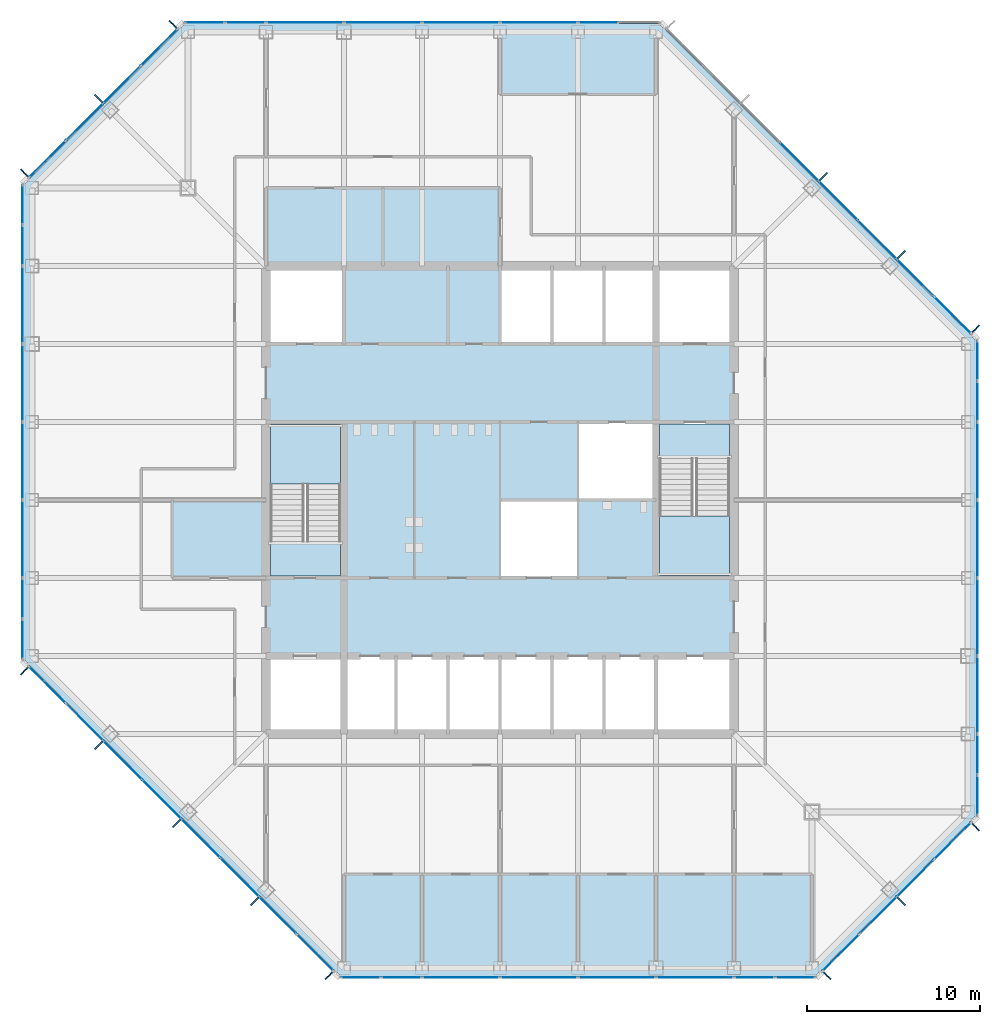
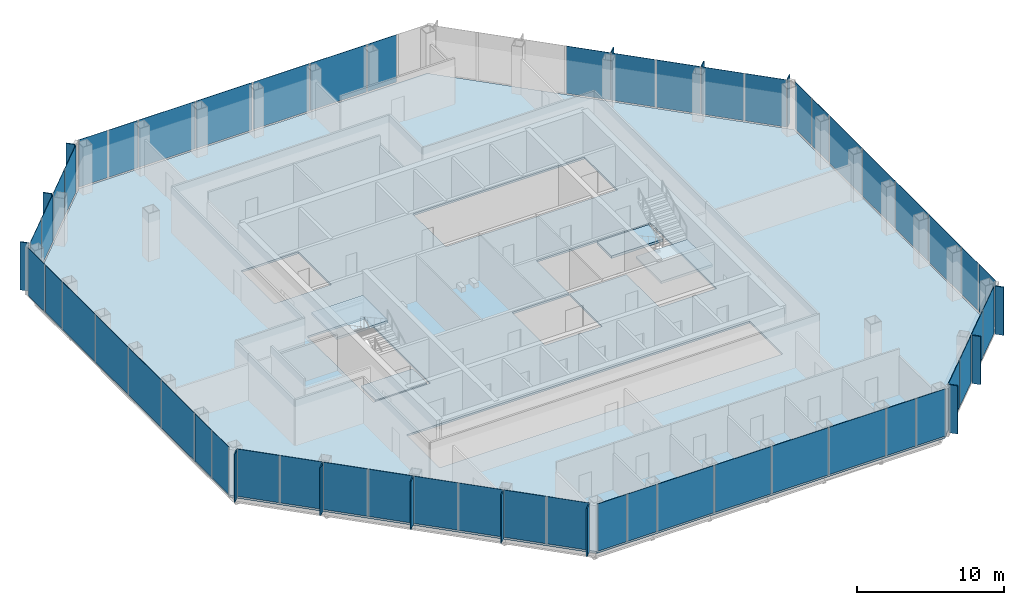
# One storey, part 7 of 12: 66 plates, 5 slabs, 10 elements without a shape of their own.
"""IFC4 building model written with IfcOpenShell, lengths in metres."""

from ifc_helpers import new_model, si_unit, direction, frame, origin, origin_2d, place, context, subcontext, project, spatial, polyline, rectangle, outline, extrude, material, layer, layer_set, type_object, element, aggregate, save


model = new_model("IFC4")

# Units and contexts
model_context = context("Model", 3, precision=1e-05, world=origin(), true_north=direction((0.0, 1.0)))
body_context = subcontext(model_context, "Body", "Model", "MODEL_VIEW")
ifc_project = project(units=[si_unit("LENGTHUNIT", "METRE"), si_unit("AREAUNIT", "SQUARE_METRE"), si_unit("VOLUMEUNIT", "CUBIC_METRE"), si_unit("PLANEANGLEUNIT", "RADIAN"), si_unit("MASSUNIT", "GRAM", prefix="KILO")], contexts=[model_context])

# Site, building, storey
site_placement = place(None, origin())
site = spatial("IfcSite", under=ifc_project, at=site_placement, CompositionType="ELEMENT")
building_placement = place(site_placement, origin())
building = spatial("IfcBuilding", under=site, at=building_placement, Name="Corais Broadcast Tower", CompositionType="ELEMENT")
storey_placement = place(building_placement, frame((0.0, 0.0, 147.60009765625)))
storey = spatial("IfcBuildingStorey", under=building, at=storey_placement, Name="L33", CompositionType="ELEMENT", Elevation=147.60009765625)

# Slab
ifc_material_1 = material(Name="Concrete C30/37", Category="concrete")
ifc_layer_1 = layer(ifc_material_1, 0.159912109375)
ifc_layer_set_1 = layer_set([ifc_layer_1], Name="Concrete C30/37")
slab_type_1 = type_object("IfcSlabType", Name="Composite floor slab 160", PredefinedType="FLOOR", material=ifc_layer_set_1)
slab_1_placement = place(storey_placement, frame((0.0, 0.0, -0.16015625)))
element("IfcSlab", 1, at=slab_1_placement, inside=storey, type_object=slab_type_1, Name="S160 floor slab L33", PredefinedType="FLOOR", context=body_context, shape_type="SweptSolid", body=[
    extrude(outline(polyline([(17.80126953125, -0.47998046875), (-0.47998046875, 17.80126953125), (-0.47998046875, 45.19873046875), (8.80126953125, 54.47998046875), (36.19873046875, 54.47998046875), (54.47998046875, 36.19873046875), (54.47998046875, 8.80126953125), (45.19873046875, -0.47998046875), (17.80126953125, -0.47998046875)]), holes=[polyline([(13.5, 18.0), (40.5, 18.0), (40.5, 13.5), (13.5, 13.5), (13.5, 18.0)]), polyline([(18.0, 22.5), (13.5, 22.5), (13.5, 31.5), (18.0, 31.5), (18.0, 22.5)]), polyline([(18.0, 36.0), (13.5, 36.0), (13.5, 40.5), (18.0, 40.5), (18.0, 36.0)]), polyline([(31.5, 22.5), (27.0, 22.5), (27.0, 27.0), (31.4951171875, 27.0), (31.4951171875, 27.0048828125), (31.5, 27.0048828125), (31.5, 31.5), (40.5, 31.5), (40.5, 22.5), (36.0, 22.5), (36.0, 27.0), (31.5048828125, 27.0), (31.5048828125, 26.9951171875), (31.5, 26.9951171875), (31.5, 22.5)]), polyline([(27.0, 40.5), (40.5, 40.5), (40.5, 36.0), (27.0, 36.0), (27.0, 40.5)])]), origin(), (0.0, 0.0, 1.0), 0.16015625),
])

# Curtain wall, plates
ifc_material_2 = material(Name="Aluminium and glass", Category="aluminium")
curtain_wall_type = type_object("IfcCurtainWallType", Name="Unitised fritted curtain wall CW2", PredefinedType="NOTDEFINED", material=ifc_material_2)
curtain_wall_1_placement = place(storey_placement, origin())
curtain_wall_1 = element("IfcCurtainWall", 2, at=curtain_wall_1_placement, inside=storey, type_object=curtain_wall_type, Name="CW2 curtain wall L33 1", PredefinedType="NOTDEFINED")
ifc_material_3 = material(Name="Ceramic-fritted laminated glass", Category="glass")
ifc_layer_2 = layer(ifc_material_3, 0.028076171875)
ifc_layer_set_2 = layer_set([ifc_layer_2], Name="Ceramic-fritted laminated glass")
plate_type_1 = type_object("IfcPlateType", Name="Fritted glass panel CW2", PredefinedType="CURTAIN_PANEL", material=ifc_layer_set_2)
plate_1_placement = place(storey_placement, frame((16.330322265625, 0.891845703125, 0.06494140625), z_axis=(0.0, 0.0, 1.0), x_axis=(-0.707106781187, 0.707106781187, 0.0)))
plate_1 = element("IfcPlate", 3, at=plate_1_placement, type_object=plate_type_1, Name="CW2 panel 1", PredefinedType="CURTAIN_PANEL", context=body_context, shape_type="SweptSolid", body=[
    extrude(rectangle(XDim=2.9482421875, YDim=0.028076171875, at=origin_2d()), origin(), (0.0, 0.0, 1.0), 3.93505859375),
])
plate_2_placement = place(storey_placement, frame((11.986083984375, 5.236083984375, 0.06494140625), z_axis=(0.0, 0.0, 1.0), x_axis=(-0.707106781187, 0.707106781187, 0.0)))
plate_2 = element("IfcPlate", 4, at=plate_2_placement, type_object=plate_type_1, Name="CW2 panel 3", PredefinedType="CURTAIN_PANEL", context=body_context, shape_type="SweptSolid", body=[
    extrude(rectangle(XDim=3.116943359375, YDim=0.028076171875, at=origin_2d()), origin(), (0.0, 0.0, 1.0), 3.93505859375),
])
plate_3_placement = place(storey_placement, frame((7.486083984375, 9.736083984375, 0.06494140625), z_axis=(0.0, 0.0, 1.0), x_axis=(-0.707106781187, 0.707106781187, 0.0)))
plate_3 = element("IfcPlate", 5, at=plate_3_placement, type_object=plate_type_1, Name="CW2 panel 5", PredefinedType="CURTAIN_PANEL", context=body_context, shape_type="SweptSolid", body=[
    extrude(rectangle(XDim=3.116943359375, YDim=0.028076171875, at=origin_2d()), origin(), (0.0, 0.0, 1.0), 3.93505859375),
])
plate_4_placement = place(storey_placement, frame((3.0341796875, 14.18798828125, 0.06494140625), z_axis=(0.0, 0.0, 1.0), x_axis=(-0.707106781187, 0.707106781187, 0.0)))
plate_4 = element("IfcPlate", 6, at=plate_4_placement, type_object=plate_type_1, Name="CW2 panel 7", PredefinedType="CURTAIN_PANEL", context=body_context, shape_type="SweptSolid", body=[
    extrude(rectangle(XDim=2.98095703125, YDim=0.028076171875, at=origin_2d()), origin(), (0.0, 0.0, 1.0), 3.93505859375),
])

curtain_wall_2_placement = place(storey_placement, origin())
curtain_wall_2 = element("IfcCurtainWall", 7, at=curtain_wall_2_placement, inside=storey, type_object=curtain_wall_type, Name="CW2 curtain wall L33 2", PredefinedType="NOTDEFINED")
plate_5_placement = place(storey_placement, frame((-0.550048828125, 18.970458984375, 0.06494140625), z_axis=(0.0, 0.0, 1.0), x_axis=(0.0, 1.0, 0.0)))
plate_5 = element("IfcPlate", 8, at=plate_5_placement, type_object=plate_type_1, Name="CW2 panel 1", PredefinedType="CURTAIN_PANEL", context=body_context, shape_type="SweptSolid", body=[
    extrude(rectangle(XDim=2.266357421875, YDim=0.028076171875, at=origin_2d()), origin(), (0.0, 0.0, 1.0), 3.93505859375),
])
plate_6_placement = place(storey_placement, frame((-0.550048828125, 24.75, 0.06494140625), z_axis=(0.0, 0.0, 1.0), x_axis=(0.0, 1.0, 0.0)))
plate_6 = element("IfcPlate", 9, at=plate_6_placement, type_object=plate_type_1, Name="CW2 panel 3", PredefinedType="CURTAIN_PANEL", context=body_context, shape_type="SweptSolid", body=[
    extrude(rectangle(XDim=4.43505859375, YDim=0.028076171875, at=origin_2d()), origin(), (0.0, 0.0, 1.0), 3.93505859375),
])
plate_7_placement = place(storey_placement, frame((-0.550048828125, 33.75, 0.06494140625), z_axis=(0.0, 0.0, 1.0), x_axis=(0.0, 1.0, 0.0)))
plate_7 = element("IfcPlate", 10, at=plate_7_placement, type_object=plate_type_1, Name="CW2 panel 5", PredefinedType="CURTAIN_PANEL", context=body_context, shape_type="SweptSolid", body=[
    extrude(rectangle(XDim=4.43505859375, YDim=0.028076171875, at=origin_2d()), origin(), (0.0, 0.0, 1.0), 3.93505859375),
])
plate_8_placement = place(storey_placement, frame((-0.550048828125, 41.681884765625, 0.06494140625), z_axis=(0.0, 0.0, 1.0), x_axis=(0.0, 1.0, 0.0)))
plate_8 = element("IfcPlate", 11, at=plate_8_placement, type_object=plate_type_1, Name="CW2 panel 7", PredefinedType="CURTAIN_PANEL", context=body_context, shape_type="SweptSolid", body=[
    extrude(rectangle(XDim=2.298828125, YDim=0.028076171875, at=origin_2d()), origin(), (0.0, 0.0, 1.0), 3.93505859375),
])

curtain_wall_3_placement = place(storey_placement, origin())
curtain_wall_3 = element("IfcCurtainWall", 12, at=curtain_wall_3_placement, inside=storey, type_object=curtain_wall_type, Name="CW2 curtain wall L33 3", PredefinedType="NOTDEFINED")
plate_9_placement = place(storey_placement, frame((0.891845703125, 46.669677734375, 0.06494140625), z_axis=(0.0, 0.0, 1.0), x_axis=(0.707106781187, 0.707106781187, 0.0)))
plate_9 = element("IfcPlate", 13, at=plate_9_placement, type_object=plate_type_1, Name="CW2 panel 1", PredefinedType="CURTAIN_PANEL", context=body_context, shape_type="SweptSolid", body=[
    extrude(rectangle(XDim=2.9482421875, YDim=0.028076171875, at=origin_2d()), origin(), (0.0, 0.0, 1.0), 3.93505859375),
])
plate_10_placement = place(storey_placement, frame((5.18798828125, 50.9658203125, 0.06494140625), z_axis=(0.0, 0.0, 1.0), x_axis=(0.707106781187, 0.707106781187, 0.0)))
plate_10 = element("IfcPlate", 14, at=plate_10_placement, type_object=plate_type_1, Name="CW2 panel 3", PredefinedType="CURTAIN_PANEL", context=body_context, shape_type="SweptSolid", body=[
    extrude(rectangle(XDim=2.98095703125, YDim=0.028076171875, at=origin_2d()), origin(), (0.0, 0.0, 1.0), 3.93505859375),
])

curtain_wall_4_placement = place(storey_placement, origin())
curtain_wall_4 = element("IfcCurtainWall", 15, at=curtain_wall_4_placement, inside=storey, type_object=curtain_wall_type, Name="CW2 curtain wall L33 4", PredefinedType="NOTDEFINED")
plate_11_placement = place(storey_placement, frame((9.970458984375, 54.550048828125, 0.06494140625), z_axis=(0.0, 0.0, 1.0), x_axis=(1.0, 0.0, 0.0)))
plate_11 = element("IfcPlate", 16, at=plate_11_placement, type_object=plate_type_1, Name="CW2 panel 1", PredefinedType="CURTAIN_PANEL", context=body_context, shape_type="SweptSolid", body=[
    extrude(rectangle(XDim=2.266357421875, YDim=0.028076171875, at=origin_2d()), origin(), (0.0, 0.0, 1.0), 3.93505859375),
])
plate_12_placement = place(storey_placement, frame((15.75, 54.550048828125, 0.06494140625), z_axis=(0.0, 0.0, 1.0), x_axis=(1.0, 0.0, 0.0)))
plate_12 = element("IfcPlate", 17, at=plate_12_placement, type_object=plate_type_1, Name="CW2 panel 3", PredefinedType="CURTAIN_PANEL", context=body_context, shape_type="SweptSolid", body=[
    extrude(rectangle(XDim=4.43505859375, YDim=0.028076171875, at=origin_2d()), origin(), (0.0, 0.0, 1.0), 3.93505859375),
])
plate_13_placement = place(storey_placement, frame((24.75, 54.550048828125, 0.06494140625), z_axis=(0.0, 0.0, 1.0), x_axis=(1.0, 0.0, 0.0)))
plate_13 = element("IfcPlate", 18, at=plate_13_placement, type_object=plate_type_1, Name="CW2 panel 5", PredefinedType="CURTAIN_PANEL", context=body_context, shape_type="SweptSolid", body=[
    extrude(rectangle(XDim=4.43505859375, YDim=0.028076171875, at=origin_2d()), origin(), (0.0, 0.0, 1.0), 3.93505859375),
])
plate_14_placement = place(storey_placement, frame((32.681884765625, 54.550048828125, 0.06494140625), z_axis=(0.0, 0.0, 1.0), x_axis=(1.0, 0.0, 0.0)))
plate_14 = element("IfcPlate", 19, at=plate_14_placement, type_object=plate_type_1, Name="CW2 panel 7", PredefinedType="CURTAIN_PANEL", context=body_context, shape_type="SweptSolid", body=[
    extrude(rectangle(XDim=2.298828125, YDim=0.028076171875, at=origin_2d()), origin(), (0.0, 0.0, 1.0), 3.93505859375),
])

curtain_wall_5_placement = place(storey_placement, origin())
curtain_wall_5 = element("IfcCurtainWall", 20, at=curtain_wall_5_placement, inside=storey, type_object=curtain_wall_type, Name="CW2 curtain wall L33 5", PredefinedType="NOTDEFINED")
plate_15_placement = place(storey_placement, frame((46.513916015625, 44.263916015625, 0.06494140625), z_axis=(0.0, 0.0, 1.0), x_axis=(0.707106781187, -0.707106781187, 0.0)))
plate_15 = element("IfcPlate", 21, at=plate_15_placement, type_object=plate_type_1, Name="CW2 panel 5", PredefinedType="CURTAIN_PANEL", context=body_context, shape_type="SweptSolid", body=[
    extrude(rectangle(XDim=3.116943359375, YDim=0.028076171875, at=origin_2d()), origin(), (0.0, 0.0, 1.0), 3.93505859375),
])
plate_16_placement = place(storey_placement, frame((50.9658203125, 39.81201171875, 0.06494140625), z_axis=(0.0, 0.0, 1.0), x_axis=(0.707106781187, -0.707106781187, 0.0)))
plate_16 = element("IfcPlate", 22, at=plate_16_placement, type_object=plate_type_1, Name="CW2 panel 7", PredefinedType="CURTAIN_PANEL", context=body_context, shape_type="SweptSolid", body=[
    extrude(rectangle(XDim=2.98095703125, YDim=0.028076171875, at=origin_2d()), origin(), (0.0, 0.0, 1.0), 3.93505859375),
])

curtain_wall_6_placement = place(storey_placement, origin())
curtain_wall_6 = element("IfcCurtainWall", 23, at=curtain_wall_6_placement, inside=storey, type_object=curtain_wall_type, Name="CW2 curtain wall L33 6", PredefinedType="NOTDEFINED")
plate_17_placement = place(storey_placement, frame((54.550048828125, 35.029541015625, 0.06494140625), z_axis=(0.0, 0.0, 1.0), x_axis=(0.0, -1.0, 0.0)))
plate_17 = element("IfcPlate", 24, at=plate_17_placement, type_object=plate_type_1, Name="CW2 panel 1", PredefinedType="CURTAIN_PANEL", context=body_context, shape_type="SweptSolid", body=[
    extrude(rectangle(XDim=2.266357421875, YDim=0.028076171875, at=origin_2d()), origin(), (0.0, 0.0, 1.0), 3.93505859375),
])
plate_18_placement = place(storey_placement, frame((54.550048828125, 29.25, 0.06494140625), z_axis=(0.0, 0.0, 1.0), x_axis=(0.0, -1.0, 0.0)))
plate_18 = element("IfcPlate", 25, at=plate_18_placement, type_object=plate_type_1, Name="CW2 panel 3", PredefinedType="CURTAIN_PANEL", context=body_context, shape_type="SweptSolid", body=[
    extrude(rectangle(XDim=4.43505859375, YDim=0.028076171875, at=origin_2d()), origin(), (0.0, 0.0, 1.0), 3.93505859375),
])
plate_19_placement = place(storey_placement, frame((54.550048828125, 20.25, 0.06494140625), z_axis=(0.0, 0.0, 1.0), x_axis=(0.0, -1.0, 0.0)))
plate_19 = element("IfcPlate", 26, at=plate_19_placement, type_object=plate_type_1, Name="CW2 panel 5", PredefinedType="CURTAIN_PANEL", context=body_context, shape_type="SweptSolid", body=[
    extrude(rectangle(XDim=4.43505859375, YDim=0.028076171875, at=origin_2d()), origin(), (0.0, 0.0, 1.0), 3.93505859375),
])
plate_20_placement = place(storey_placement, frame((54.550048828125, 12.318115234375, 0.06494140625), z_axis=(0.0, 0.0, 1.0), x_axis=(0.0, -1.0, 0.0)))
plate_20 = element("IfcPlate", 27, at=plate_20_placement, type_object=plate_type_1, Name="CW2 panel 7", PredefinedType="CURTAIN_PANEL", context=body_context, shape_type="SweptSolid", body=[
    extrude(rectangle(XDim=2.298828125, YDim=0.028076171875, at=origin_2d()), origin(), (0.0, 0.0, 1.0), 3.93505859375),
])

curtain_wall_7_placement = place(storey_placement, origin())
curtain_wall_7 = element("IfcCurtainWall", 28, at=curtain_wall_7_placement, inside=storey, type_object=curtain_wall_type, Name="CW2 curtain wall L33 7", PredefinedType="NOTDEFINED")
plate_21_placement = place(storey_placement, frame((53.108154296875, 7.330322265625, 0.06494140625), z_axis=(0.0, 0.0, 1.0), x_axis=(-0.707106781187, -0.707106781187, 0.0)))
plate_21 = element("IfcPlate", 29, at=plate_21_placement, type_object=plate_type_1, Name="CW2 panel 1", PredefinedType="CURTAIN_PANEL", context=body_context, shape_type="SweptSolid", body=[
    extrude(rectangle(XDim=2.9482421875, YDim=0.028076171875, at=origin_2d()), origin(), (0.0, 0.0, 1.0), 3.93505859375),
])
plate_22_placement = place(storey_placement, frame((48.81201171875, 3.0341796875, 0.06494140625), z_axis=(0.0, 0.0, 1.0), x_axis=(-0.707106781187, -0.707106781187, 0.0)))
plate_22 = element("IfcPlate", 30, at=plate_22_placement, type_object=plate_type_1, Name="CW2 panel 3", PredefinedType="CURTAIN_PANEL", context=body_context, shape_type="SweptSolid", body=[
    extrude(rectangle(XDim=2.98095703125, YDim=0.028076171875, at=origin_2d()), origin(), (0.0, 0.0, 1.0), 3.93505859375),
])

curtain_wall_8_placement = place(storey_placement, origin())
curtain_wall_8 = element("IfcCurtainWall", 31, at=curtain_wall_8_placement, inside=storey, type_object=curtain_wall_type, Name="CW2 curtain wall L33 8", PredefinedType="NOTDEFINED")
plate_23_placement = place(storey_placement, frame((44.029541015625, -0.550048828125, 0.06494140625), z_axis=(0.0, 0.0, 1.0), x_axis=(-1.0, 0.0, 0.0)))
plate_23 = element("IfcPlate", 32, at=plate_23_placement, type_object=plate_type_1, Name="CW2 panel 1", PredefinedType="CURTAIN_PANEL", context=body_context, shape_type="SweptSolid", body=[
    extrude(rectangle(XDim=2.266357421875, YDim=0.028076171875, at=origin_2d()), origin(), (0.0, 0.0, 1.0), 3.93505859375),
])
plate_24_placement = place(storey_placement, frame((38.25, -0.550048828125, 0.06494140625), z_axis=(0.0, 0.0, 1.0), x_axis=(-1.0, 0.0, 0.0)))
plate_24 = element("IfcPlate", 33, at=plate_24_placement, type_object=plate_type_1, Name="CW2 panel 3", PredefinedType="CURTAIN_PANEL", context=body_context, shape_type="SweptSolid", body=[
    extrude(rectangle(XDim=4.43505859375, YDim=0.028076171875, at=origin_2d()), origin(), (0.0, 0.0, 1.0), 3.93505859375),
])
plate_25_placement = place(storey_placement, frame((29.25, -0.550048828125, 0.06494140625), z_axis=(0.0, 0.0, 1.0), x_axis=(-1.0, 0.0, 0.0)))
plate_25 = element("IfcPlate", 34, at=plate_25_placement, type_object=plate_type_1, Name="CW2 panel 5", PredefinedType="CURTAIN_PANEL", context=body_context, shape_type="SweptSolid", body=[
    extrude(rectangle(XDim=4.43505859375, YDim=0.028076171875, at=origin_2d()), origin(), (0.0, 0.0, 1.0), 3.93505859375),
])
plate_26_placement = place(storey_placement, frame((21.318115234375, -0.550048828125, 0.06494140625), z_axis=(0.0, 0.0, 1.0), x_axis=(-1.0, 0.0, 0.0)))
plate_26 = element("IfcPlate", 35, at=plate_26_placement, type_object=plate_type_1, Name="CW2 panel 7", PredefinedType="CURTAIN_PANEL", context=body_context, shape_type="SweptSolid", body=[
    extrude(rectangle(XDim=2.298828125, YDim=0.028076171875, at=origin_2d()), origin(), (0.0, 0.0, 1.0), 3.93505859375),
])

# Plate
ifc_material_4 = material(Name="Clear laminated glass", Category="glass")
ifc_layer_3 = layer(ifc_material_4, 0.031982421875)
ifc_layer_set_3 = layer_set([ifc_layer_3], Name="Clear laminated glass")
plate_type_2 = type_object("IfcPlateType", Name="Operable glass panel CW2", PredefinedType="CURTAIN_PANEL", material=ifc_layer_set_3)
plate_27_placement = place(storey_placement, frame((14.18798828125, 3.0341796875, 0.06494140625), z_axis=(0.0, 0.0, 1.0), x_axis=(-0.707106781187, 0.707106781187, 0.0)))
plate_27 = element("IfcPlate", 36, at=plate_27_placement, type_object=plate_type_2, Name="CW2 operable panel 2", PredefinedType="CURTAIN_PANEL", context=body_context, shape_type="SweptSolid", body=[
    extrude(rectangle(XDim=2.98095703125, YDim=0.031982421875, at=origin_2d()), origin(), (0.0, 0.0, 1.0), 3.93505859375),
])

plate_28_placement = place(storey_placement, frame((9.736083984375, 7.486083984375, 0.06494140625), z_axis=(0.0, 0.0, 1.0), x_axis=(-0.707106781187, 0.707106781187, 0.0)))
plate_28 = element("IfcPlate", 37, at=plate_28_placement, type_object=plate_type_2, Name="CW2 operable panel 4", PredefinedType="CURTAIN_PANEL", context=body_context, shape_type="SweptSolid", body=[
    extrude(rectangle(XDim=3.116943359375, YDim=0.031982421875, at=origin_2d()), origin(), (0.0, 0.0, 1.0), 3.93505859375),
])

plate_29_placement = place(storey_placement, frame((5.236083984375, 11.986083984375, 0.06494140625), z_axis=(0.0, 0.0, 1.0), x_axis=(-0.707106781187, 0.707106781187, 0.0)))
plate_29 = element("IfcPlate", 38, at=plate_29_placement, type_object=plate_type_2, Name="CW2 operable panel 6", PredefinedType="CURTAIN_PANEL", context=body_context, shape_type="SweptSolid", body=[
    extrude(rectangle(XDim=3.116943359375, YDim=0.031982421875, at=origin_2d()), origin(), (0.0, 0.0, 1.0), 3.93505859375),
])

plate_30_placement = place(storey_placement, frame((0.89208984375, 16.330322265625, 0.06494140625), z_axis=(0.0, 0.0, 1.0), x_axis=(-0.707106781187, 0.707106781187, 0.0)))
plate_30 = element("IfcPlate", 39, at=plate_30_placement, type_object=plate_type_2, Name="CW2 operable panel 8", PredefinedType="CURTAIN_PANEL", context=body_context, shape_type="SweptSolid", body=[
    extrude(rectangle(XDim=2.948486328125, YDim=0.031982421875, at=origin_2d()), origin(), (0.0, 0.0, 1.0), 3.93505859375),
])

aggregate(curtain_wall_1, [plate_1, plate_27, plate_2, plate_28, plate_3, plate_29, plate_4, plate_30])

plate_31_placement = place(storey_placement, frame((-0.550048828125, 21.318115234375, 0.06494140625), z_axis=(0.0, 0.0, 1.0), x_axis=(0.0, 1.0, 0.0)))
plate_31 = element("IfcPlate", 40, at=plate_31_placement, type_object=plate_type_2, Name="CW2 operable panel 2", PredefinedType="CURTAIN_PANEL", context=body_context, shape_type="SweptSolid", body=[
    extrude(rectangle(XDim=2.298828125, YDim=0.031982421875, at=origin_2d()), origin(), (0.0, 0.0, 1.0), 3.93505859375),
])

plate_32_placement = place(storey_placement, frame((-0.550048828125, 29.25, 0.06494140625), z_axis=(0.0, 0.0, 1.0), x_axis=(0.0, 1.0, 0.0)))
plate_32 = element("IfcPlate", 41, at=plate_32_placement, type_object=plate_type_2, Name="CW2 operable panel 4", PredefinedType="CURTAIN_PANEL", context=body_context, shape_type="SweptSolid", body=[
    extrude(rectangle(XDim=4.43505859375, YDim=0.031982421875, at=origin_2d()), origin(), (0.0, 0.0, 1.0), 3.93505859375),
])

plate_33_placement = place(storey_placement, frame((-0.550048828125, 38.25, 0.06494140625), z_axis=(0.0, 0.0, 1.0), x_axis=(0.0, 1.0, 0.0)))
plate_33 = element("IfcPlate", 42, at=plate_33_placement, type_object=plate_type_2, Name="CW2 operable panel 6", PredefinedType="CURTAIN_PANEL", context=body_context, shape_type="SweptSolid", body=[
    extrude(rectangle(XDim=4.43505859375, YDim=0.031982421875, at=origin_2d()), origin(), (0.0, 0.0, 1.0), 3.93505859375),
])

plate_34_placement = place(storey_placement, frame((-0.550048828125, 44.029541015625, 0.06494140625), z_axis=(0.0, 0.0, 1.0), x_axis=(0.0, 1.0, 0.0)))
plate_34 = element("IfcPlate", 43, at=plate_34_placement, type_object=plate_type_2, Name="CW2 operable panel 8", PredefinedType="CURTAIN_PANEL", context=body_context, shape_type="SweptSolid", body=[
    extrude(rectangle(XDim=2.266357421875, YDim=0.031982421875, at=origin_2d()), origin(), (0.0, 0.0, 1.0), 3.93505859375),
])

aggregate(curtain_wall_2, [plate_5, plate_31, plate_6, plate_32, plate_7, plate_33, plate_8, plate_34])

plate_35_placement = place(storey_placement, frame((3.0341796875, 48.81201171875, 0.06494140625), z_axis=(0.0, 0.0, 1.0), x_axis=(0.707106781187, 0.707106781187, 0.0)))
plate_35 = element("IfcPlate", 44, at=plate_35_placement, type_object=plate_type_2, Name="CW2 operable panel 2", PredefinedType="CURTAIN_PANEL", context=body_context, shape_type="SweptSolid", body=[
    extrude(rectangle(XDim=2.98095703125, YDim=0.031982421875, at=origin_2d()), origin(), (0.0, 0.0, 1.0), 3.93505859375),
])

plate_36_placement = place(storey_placement, frame((7.330322265625, 53.10791015625, 0.06494140625), z_axis=(0.0, 0.0, 1.0), x_axis=(0.707106781187, 0.707106781187, 0.0)))
plate_36 = element("IfcPlate", 45, at=plate_36_placement, type_object=plate_type_2, Name="CW2 operable panel 4", PredefinedType="CURTAIN_PANEL", context=body_context, shape_type="SweptSolid", body=[
    extrude(rectangle(XDim=2.948486328125, YDim=0.031982421875, at=origin_2d()), origin(), (0.0, 0.0, 1.0), 3.93505859375),
])

aggregate(curtain_wall_3, [plate_9, plate_35, plate_10, plate_36])

plate_37_placement = place(storey_placement, frame((12.318115234375, 54.550048828125, 0.06494140625), z_axis=(0.0, 0.0, 1.0), x_axis=(1.0, 0.0, 0.0)))
plate_37 = element("IfcPlate", 46, at=plate_37_placement, type_object=plate_type_2, Name="CW2 operable panel 2", PredefinedType="CURTAIN_PANEL", context=body_context, shape_type="SweptSolid", body=[
    extrude(rectangle(XDim=2.298828125, YDim=0.031982421875, at=origin_2d()), origin(), (0.0, 0.0, 1.0), 3.93505859375),
])

plate_38_placement = place(storey_placement, frame((20.25, 54.550048828125, 0.06494140625), z_axis=(0.0, 0.0, 1.0), x_axis=(1.0, 0.0, 0.0)))
plate_38 = element("IfcPlate", 47, at=plate_38_placement, type_object=plate_type_2, Name="CW2 operable panel 4", PredefinedType="CURTAIN_PANEL", context=body_context, shape_type="SweptSolid", body=[
    extrude(rectangle(XDim=4.43505859375, YDim=0.031982421875, at=origin_2d()), origin(), (0.0, 0.0, 1.0), 3.93505859375),
])

plate_39_placement = place(storey_placement, frame((29.25, 54.550048828125, 0.06494140625), z_axis=(0.0, 0.0, 1.0), x_axis=(1.0, 0.0, 0.0)))
plate_39 = element("IfcPlate", 48, at=plate_39_placement, type_object=plate_type_2, Name="CW2 operable panel 6", PredefinedType="CURTAIN_PANEL", context=body_context, shape_type="SweptSolid", body=[
    extrude(rectangle(XDim=4.43505859375, YDim=0.031982421875, at=origin_2d()), origin(), (0.0, 0.0, 1.0), 3.93505859375),
])

aggregate(curtain_wall_4, [plate_11, plate_37, plate_12, plate_38, plate_13, plate_39, plate_14])

plate_40_placement = place(storey_placement, frame((44.263916015625, 46.513916015625, 0.06494140625), z_axis=(0.0, 0.0, 1.0), x_axis=(0.707106781187, -0.707106781187, 0.0)))
plate_40 = element("IfcPlate", 49, at=plate_40_placement, type_object=plate_type_2, Name="CW2 operable panel 4", PredefinedType="CURTAIN_PANEL", context=body_context, shape_type="SweptSolid", body=[
    extrude(rectangle(XDim=3.116943359375, YDim=0.031982421875, at=origin_2d()), origin(), (0.0, 0.0, 1.0), 3.93505859375),
])

plate_41_placement = place(storey_placement, frame((48.763916015625, 42.013916015625, 0.06494140625), z_axis=(0.0, 0.0, 1.0), x_axis=(0.707106781187, -0.707106781187, 0.0)))
plate_41 = element("IfcPlate", 50, at=plate_41_placement, type_object=plate_type_2, Name="CW2 operable panel 6", PredefinedType="CURTAIN_PANEL", context=body_context, shape_type="SweptSolid", body=[
    extrude(rectangle(XDim=3.116943359375, YDim=0.031982421875, at=origin_2d()), origin(), (0.0, 0.0, 1.0), 3.93505859375),
])

plate_42_placement = place(storey_placement, frame((53.10791015625, 37.669677734375, 0.06494140625), z_axis=(0.0, 0.0, 1.0), x_axis=(0.707106781187, -0.707106781187, 0.0)))
plate_42 = element("IfcPlate", 51, at=plate_42_placement, type_object=plate_type_2, Name="CW2 operable panel 8", PredefinedType="CURTAIN_PANEL", context=body_context, shape_type="SweptSolid", body=[
    extrude(rectangle(XDim=2.948486328125, YDim=0.031982421875, at=origin_2d()), origin(), (0.0, 0.0, 1.0), 3.93505859375),
])

aggregate(curtain_wall_5, [plate_40, plate_15, plate_41, plate_16, plate_42])

plate_43_placement = place(storey_placement, frame((54.550048828125, 32.681884765625, 0.06494140625), z_axis=(0.0, 0.0, 1.0), x_axis=(0.0, -1.0, 0.0)))
plate_43 = element("IfcPlate", 52, at=plate_43_placement, type_object=plate_type_2, Name="CW2 operable panel 2", PredefinedType="CURTAIN_PANEL", context=body_context, shape_type="SweptSolid", body=[
    extrude(rectangle(XDim=2.298828125, YDim=0.031982421875, at=origin_2d()), origin(), (0.0, 0.0, 1.0), 3.93505859375),
])

plate_44_placement = place(storey_placement, frame((54.550048828125, 24.75, 0.06494140625), z_axis=(0.0, 0.0, 1.0), x_axis=(0.0, -1.0, 0.0)))
plate_44 = element("IfcPlate", 53, at=plate_44_placement, type_object=plate_type_2, Name="CW2 operable panel 4", PredefinedType="CURTAIN_PANEL", context=body_context, shape_type="SweptSolid", body=[
    extrude(rectangle(XDim=4.43505859375, YDim=0.031982421875, at=origin_2d()), origin(), (0.0, 0.0, 1.0), 3.93505859375),
])

plate_45_placement = place(storey_placement, frame((54.550048828125, 15.75, 0.06494140625), z_axis=(0.0, 0.0, 1.0), x_axis=(0.0, -1.0, 0.0)))
plate_45 = element("IfcPlate", 54, at=plate_45_placement, type_object=plate_type_2, Name="CW2 operable panel 6", PredefinedType="CURTAIN_PANEL", context=body_context, shape_type="SweptSolid", body=[
    extrude(rectangle(XDim=4.43505859375, YDim=0.031982421875, at=origin_2d()), origin(), (0.0, 0.0, 1.0), 3.93505859375),
])

plate_46_placement = place(storey_placement, frame((54.550048828125, 9.970458984375, 0.06494140625), z_axis=(0.0, 0.0, 1.0), x_axis=(0.0, -1.0, 0.0)))
plate_46 = element("IfcPlate", 55, at=plate_46_placement, type_object=plate_type_2, Name="CW2 operable panel 8", PredefinedType="CURTAIN_PANEL", context=body_context, shape_type="SweptSolid", body=[
    extrude(rectangle(XDim=2.266357421875, YDim=0.031982421875, at=origin_2d()), origin(), (0.0, 0.0, 1.0), 3.93505859375),
])

aggregate(curtain_wall_6, [plate_17, plate_43, plate_18, plate_44, plate_19, plate_45, plate_20, plate_46])

plate_47_placement = place(storey_placement, frame((50.9658203125, 5.18798828125, 0.06494140625), z_axis=(0.0, 0.0, 1.0), x_axis=(-0.707106781187, -0.707106781187, 0.0)))
plate_47 = element("IfcPlate", 56, at=plate_47_placement, type_object=plate_type_2, Name="CW2 operable panel 2", PredefinedType="CURTAIN_PANEL", context=body_context, shape_type="SweptSolid", body=[
    extrude(rectangle(XDim=2.98095703125, YDim=0.031982421875, at=origin_2d()), origin(), (0.0, 0.0, 1.0), 3.93505859375),
])

plate_48_placement = place(storey_placement, frame((46.669677734375, 0.89208984375, 0.06494140625), z_axis=(0.0, 0.0, 1.0), x_axis=(-0.707106781187, -0.707106781187, 0.0)))
plate_48 = element("IfcPlate", 57, at=plate_48_placement, type_object=plate_type_2, Name="CW2 operable panel 4", PredefinedType="CURTAIN_PANEL", context=body_context, shape_type="SweptSolid", body=[
    extrude(rectangle(XDim=2.948486328125, YDim=0.031982421875, at=origin_2d()), origin(), (0.0, 0.0, 1.0), 3.93505859375),
])

aggregate(curtain_wall_7, [plate_21, plate_47, plate_22, plate_48])

plate_49_placement = place(storey_placement, frame((41.681884765625, -0.550048828125, 0.06494140625), z_axis=(0.0, 0.0, 1.0), x_axis=(-1.0, 0.0, 0.0)))
plate_49 = element("IfcPlate", 58, at=plate_49_placement, type_object=plate_type_2, Name="CW2 operable panel 2", PredefinedType="CURTAIN_PANEL", context=body_context, shape_type="SweptSolid", body=[
    extrude(rectangle(XDim=2.298828125, YDim=0.031982421875, at=origin_2d()), origin(), (0.0, 0.0, 1.0), 3.93505859375),
])

plate_50_placement = place(storey_placement, frame((33.75, -0.550048828125, 0.06494140625), z_axis=(0.0, 0.0, 1.0), x_axis=(-1.0, 0.0, 0.0)))
plate_50 = element("IfcPlate", 59, at=plate_50_placement, type_object=plate_type_2, Name="CW2 operable panel 4", PredefinedType="CURTAIN_PANEL", context=body_context, shape_type="SweptSolid", body=[
    extrude(rectangle(XDim=4.43505859375, YDim=0.031982421875, at=origin_2d()), origin(), (0.0, 0.0, 1.0), 3.93505859375),
])

plate_51_placement = place(storey_placement, frame((24.75, -0.550048828125, 0.06494140625), z_axis=(0.0, 0.0, 1.0), x_axis=(-1.0, 0.0, 0.0)))
plate_51 = element("IfcPlate", 60, at=plate_51_placement, type_object=plate_type_2, Name="CW2 operable panel 6", PredefinedType="CURTAIN_PANEL", context=body_context, shape_type="SweptSolid", body=[
    extrude(rectangle(XDim=4.43505859375, YDim=0.031982421875, at=origin_2d()), origin(), (0.0, 0.0, 1.0), 3.93505859375),
])

plate_52_placement = place(storey_placement, frame((18.970458984375, -0.550048828125, 0.06494140625), z_axis=(0.0, 0.0, 1.0), x_axis=(-1.0, 0.0, 0.0)))
plate_52 = element("IfcPlate", 61, at=plate_52_placement, type_object=plate_type_2, Name="CW2 operable panel 8", PredefinedType="CURTAIN_PANEL", context=body_context, shape_type="SweptSolid", body=[
    extrude(rectangle(XDim=2.266357421875, YDim=0.031982421875, at=origin_2d()), origin(), (0.0, 0.0, 1.0), 3.93505859375),
])

aggregate(curtain_wall_8, [plate_23, plate_49, plate_24, plate_50, plate_25, plate_51, plate_26, plate_52])

# Stair, slabs
ifc_material_5 = material(Name="Concrete C30/37", Category="concrete")
stair_type = type_object("IfcStairType", Name="Half-turn stair 4000", PredefinedType="HALF_TURN_STAIR", material=ifc_material_5)
stair_1_placement = place(storey_placement, origin())
stair_1 = element("IfcStair", 62, at=stair_1_placement, inside=storey, type_object=stair_type, Name="Stair A L33", PredefinedType="HALF_TURN_STAIR")
ifc_material_6 = material(Name="Concrete C30/37", Category="concrete")
ifc_layer_4 = layer(ifc_material_6, 0.199951171875)
ifc_layer_set_4 = layer_set([ifc_layer_4], Name="Concrete C30/37")
slab_type_2 = type_object("IfcSlabType", Name="Stair landing 200", PredefinedType="LANDING", material=ifc_layer_set_4)
slab_2_placement = place(storey_placement, frame((0.0, 0.0, -0.2001953125)))
slab_2 = element("IfcSlab", 63, at=slab_2_placement, type_object=slab_type_2, Name="STA landing 1", PredefinedType="LANDING", context=body_context, shape_type="SweptSolid", body=[
    extrude(outline(polyline([(13.75, 22.625), (17.800048828125, 22.625), (17.800048828125, 24.60009765625), (13.75, 24.60009765625), (13.75, 22.625)])), origin(), (0.0, 0.0, 1.0), 0.2001953125),
])
slab_3_placement = place(storey_placement, frame((0.0, 0.0, 1.7998046875)))
slab_3 = element("IfcSlab", 64, at=slab_3_placement, type_object=slab_type_2, Name="STA landing 2", PredefinedType="LANDING", context=body_context, shape_type="SweptSolid", body=[
    extrude(outline(polyline([(13.75, 27.922119140625), (17.800048828125, 27.922119140625), (17.800048828125, 31.375), (13.75, 31.375), (13.75, 27.922119140625)])), origin(), (0.0, 0.0, 1.0), 0.2001953125),
])
aggregate(stair_1, [slab_2, slab_3])

stair_2_placement = place(storey_placement, origin())
stair_2 = element("IfcStair", 65, at=stair_2_placement, inside=storey, type_object=stair_type, Name="Stair B L33", PredefinedType="HALF_TURN_STAIR")
slab_4_placement = place(storey_placement, frame((0.0, 0.0, -0.2001953125)))
slab_4 = element("IfcSlab", 66, at=slab_4_placement, type_object=slab_type_2, Name="STB landing 1", PredefinedType="LANDING", context=body_context, shape_type="SweptSolid", body=[
    extrude(outline(polyline([(36.199951171875, 29.39990234375), (40.25, 29.39990234375), (40.25, 31.375), (36.199951171875, 31.375), (36.199951171875, 29.39990234375)])), origin(), (0.0, 0.0, 1.0), 0.2001953125),
])
slab_5_placement = place(storey_placement, frame((0.0, 0.0, 1.7998046875)))
slab_5 = element("IfcSlab", 67, at=slab_5_placement, type_object=slab_type_2, Name="STB landing 2", PredefinedType="LANDING", context=body_context, shape_type="SweptSolid", body=[
    extrude(outline(polyline([(36.199951171875, 22.625), (40.25, 22.625), (40.25, 26.077880859375), (36.199951171875, 26.077880859375), (36.199951171875, 22.625)])), origin(), (0.0, 0.0, 1.0), 0.2001953125),
])
aggregate(stair_2, [slab_4, slab_5])

# Plates
ifc_material_7 = material(Name="Granite stone cladding", Category="masonry")
ifc_layer_5 = layer(ifc_material_7, 0.080078125)
ifc_layer_set_5 = layer_set([ifc_layer_5], Name="Granite stone cladding")
plate_type_3 = type_object("IfcPlateType", Name="Stone screen fin 80x600", PredefinedType="USERDEFINED", material=ifc_layer_set_5)
for number, where, z_axis, x_axis, name in (
    (68, (17.1220703125, -0.447021484375, 0.0), (0.0, 0.0, 1.0), (-0.707106781187, 0.707106781187, 0.0), "SF1 stone screen fin L33"),
    (69, (12.83740234375, 3.83740234375, 0.0), (0.0, 0.0, 1.0), (-0.707106781187, 0.707106781187, 0.0), "SF1 stone screen fin L33"),
    (70, (8.33740234375, 8.33740234375, 0.0), (0.0, 0.0, 1.0), (-0.707106781187, 0.707106781187, 0.0), "SF1 stone screen fin L33"),
    (71, (3.83740234375, 12.83740234375, 0.0), (0.0, 0.0, 1.0), (-0.707106781187, 0.707106781187, 0.0), "SF1 stone screen fin L33"),
    (72, (-0.447021484375, 17.1220703125, 0.0), (0.0, 0.0, 1.0), (-0.707106781187, 0.707106781187, 0.0), "SF1 stone screen fin L33"),
    (73, (-0.447021484375, 45.8779296875, 0.0), (0.0, 0.0, 1.0), (0.707106781187, 0.707106781187, 0.0), "SF1 stone screen fin L33"),
    (74, (3.83740234375, 50.16259765625, 0.0), (0.0, 0.0, 1.0), (0.707106781187, 0.707106781187, 0.0), "SF1 stone screen fin L33"),
    (75, (8.1220703125, 54.447021484375, 0.0), (0.0, 0.0, 1.0), (0.707106781187, 0.707106781187, 0.0), "SF1 stone screen fin L33"),
    (76, (45.66259765625, 45.66259765625, 0.0), (0.0, 0.0, 1.0), (0.707106781187, -0.707106781187, 0.0), "SF1 stone screen fin L33"),
    (77, (50.16259765625, 41.16259765625, 0.0), (0.0, 0.0, 1.0), (0.707106781187, -0.707106781187, 0.0), "SF1 stone screen fin L33"),
    (78, (54.447021484375, 36.8779296875, 0.0), (0.0, 0.0, 1.0), (0.707106781187, -0.707106781187, 0.0), "SF1 stone screen fin L33"),
    (79, (54.447021484375, 8.1220703125, 0.0), (0.0, 0.0, 1.0), (-0.707106781187, -0.707106781187, 0.0), "SF1 stone screen fin L33"),
    (80, (50.16259765625, 3.83740234375, 0.0), (0.0, 0.0, 1.0), (-0.707106781187, -0.707106781187, 0.0), "SF1 stone screen fin L33"),
    (81, (45.8779296875, -0.447021484375, 0.0), (0.0, 0.0, 1.0), (-0.707106781187, -0.707106781187, 0.0), "SF1 stone screen fin L33"),
):
    element("IfcPlate", number, at=place(storey_placement, frame(where, z_axis=z_axis, x_axis=x_axis)), inside=storey, type_object=plate_type_3, Name=name, ObjectType="STONE SCREEN FIN", PredefinedType="USERDEFINED", context=body_context, shape_type="SweptSolid", body=[
        extrude(rectangle(XDim=0.080078125, YDim=0.60009765625, at=origin_2d()), origin(), (0.0, 0.0, 1.0), 4.0),
    ])

save(model, "model.ifc")
